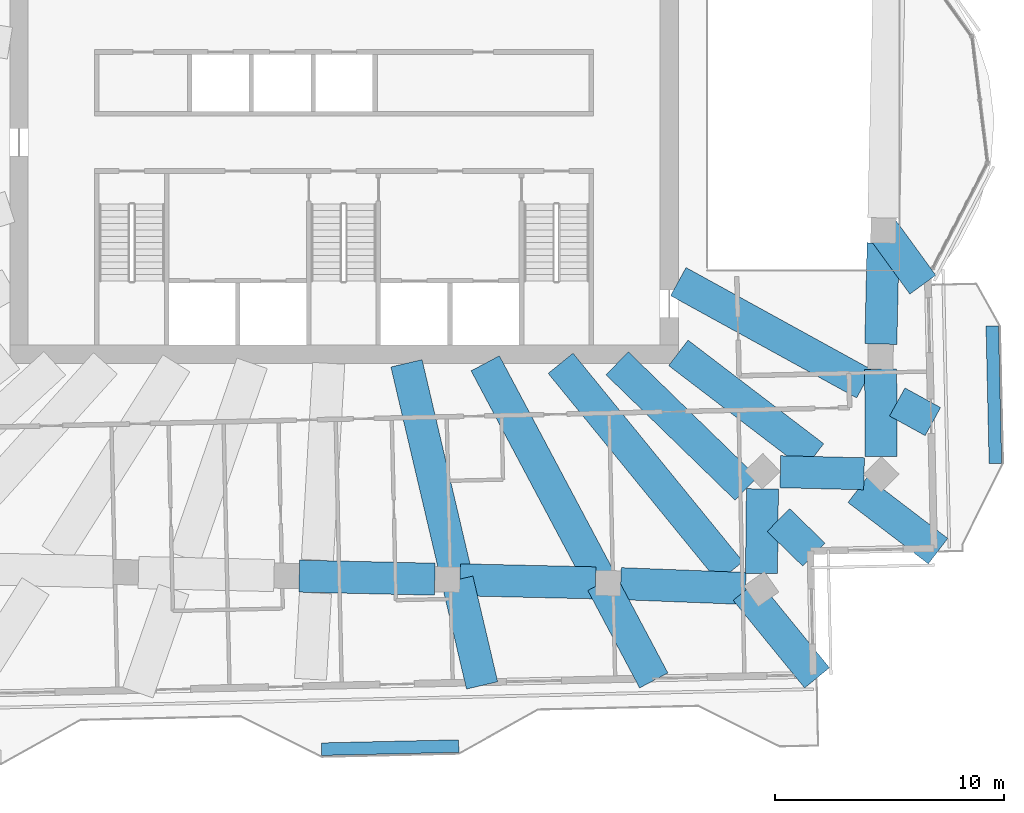
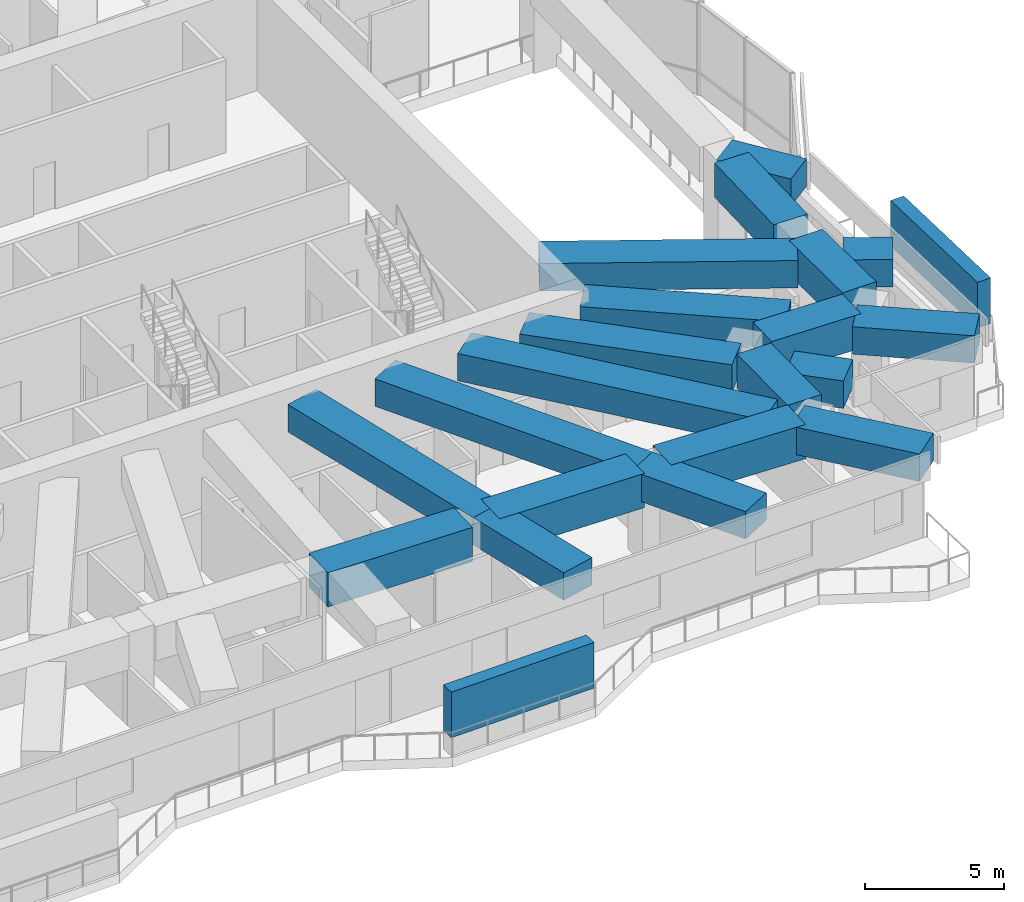
# One storey, part 3 of 19: 20 beams, 2 members.
"""IFC4 building model written with IfcOpenShell, lengths in metres."""

import ifcopenshell
import ifcopenshell.guid

model = None  # the IFC model being written
_history = None  # IfcOwnerHistory: only IFC2X3 demands one
_inside = {}  # id of a spatial element -> (the spatial element, [elements in it])
_under = {}  # id of a project, library or spatial element -> (it, [spatial elements below it])
_declared = {}  # id of a project -> (the project, [libraries it declares])
_typed = {}  # id of a type object -> (the type object, [elements of that type])
_made_of = {}  # id of a material, layer set ... -> (it, [elements and type objects made of it])


def new_model(schema):
    """Start an empty IFC model of exactly this schema.

    Asked for "IFC4X3", IfcOpenShell would pick the latest addendum, in which some entities
    have other attributes; the version numbers below select the first issue.
    IFC2X3 requires an IfcOwnerHistory on every rooted entity: one is made here for all.
    """
    global model, _history
    if schema == "IFC4X3":
        model = ifcopenshell.file(schema_version=(4, 3, 0, 0))
    else:
        model = ifcopenshell.file(schema=schema)
    _inside.clear()
    _under.clear()
    _declared.clear()
    _typed.clear()
    _made_of.clear()
    _history = None
    if model.schema == "IFC2X3":
        org = make("IfcOrganization", Name="unknown")
        user = make(
            "IfcPersonAndOrganization",
            ThePerson=make("IfcPerson", FamilyName="unknown"),
            TheOrganization=org,
        )
        app = make(
            "IfcApplication",
            ApplicationDeveloper=org,
            Version="unknown",
            ApplicationFullName="unknown",
            ApplicationIdentifier="unknown",
        )
        _history = make(
            "IfcOwnerHistory",
            OwningUser=user,
            OwningApplication=app,
            ChangeAction="ADDED",
            CreationDate=0,
        )
    return model


def make(cls, **values):
    """One entity of the class cls with the attributes given. An attribute that is None is left unset."""
    return model.create_entity(
        cls, **{name: value for name, value in values.items() if value is not None}
    )


def rooted(cls, **values):
    """An entity with a GlobalId (a new one), such as an element, a storey or a relation."""
    return make(cls, GlobalId=ifcopenshell.guid.new(), OwnerHistory=_history, **values)


def si_unit(unit_type, name, prefix=None):
    """IfcSIUnit, for example si_unit("LENGTHUNIT", "METRE", prefix="MILLI")."""
    return make("IfcSIUnit", UnitType=unit_type, Prefix=prefix, Name=name)


def assignment(units):
    """IfcUnitAssignment: the units of a project."""
    return None if units is None else make("IfcUnitAssignment", Units=units)


def point(xyz):
    """IfcCartesianPoint."""
    return None if xyz is None else make("IfcCartesianPoint", Coordinates=xyz)


def direction(xyz):
    """IfcDirection."""
    return None if xyz is None else make("IfcDirection", DirectionRatios=xyz)


def frame(location, z_axis=None, x_axis=None):
    """IfcAxis2Placement3D, a coordinate frame: its origin and axes. An axis left out is left unset."""
    return make(
        "IfcAxis2Placement3D",
        Location=point(location),
        Axis=direction(z_axis),
        RefDirection=direction(x_axis),
    )


def frame_2d(location, x_axis=None):
    """IfcAxis2Placement2D, a coordinate frame in the plane: its origin and x axis."""
    return make(
        "IfcAxis2Placement2D", Location=point(location), RefDirection=direction(x_axis)
    )


def origin():
    """The frame at (0, 0, 0) with its axes left unset."""
    return frame((0.0, 0.0, 0.0))


def origin_2d():
    """The frame at (0, 0) in the plane with its x axis left unset."""
    return frame_2d((0.0, 0.0))


def place(relative_to, where):
    """IfcLocalPlacement: puts the frame where relative to a parent placement (None: the world)."""
    return make(
        "IfcLocalPlacement", PlacementRelTo=relative_to, RelativePlacement=where
    )


def context(
    kind, dimensions, precision=None, world=None, true_north=None, identifier=None
):
    """IfcGeometricRepresentationContext, for example the 3D "Model" context."""
    return make(
        "IfcGeometricRepresentationContext",
        ContextIdentifier=identifier,
        ContextType=kind,
        CoordinateSpaceDimension=dimensions,
        Precision=precision,
        WorldCoordinateSystem=world,
        TrueNorth=true_north,
    )


def subcontext(parent, identifier, kind, view, scale=None):
    """IfcGeometricRepresentationSubContext, for example "Body" below "Model"."""
    return make(
        "IfcGeometricRepresentationSubContext",
        ContextIdentifier=identifier,
        ContextType=kind,
        ParentContext=parent,
        TargetScale=scale,
        TargetView=view,
    )


def project(units=None, contexts=None):
    """IfcProject with its units and contexts."""
    return rooted(
        "IfcProject",
        Name="project",
        RepresentationContexts=contexts,
        UnitsInContext=assignment(units),
    )


def spatial(cls, under=None, at=None, **own):
    """A site, building, storey or space (cls), placed at a placement, below another one or the project."""
    s = rooted(cls, ObjectPlacement=at, **own)
    if under is not None:
        _under.setdefault(under.id(), (under, []))[1].append(s)
    return s


def profile(cls, at=None, kind="AREA", **sizes):
    """A parametric profile (cls). Its sizes go by their IFC names, for example OverallWidth=200.0."""
    return make(cls, ProfileType=kind, Position=at, **sizes)


def rectangle(**sizes):
    """IfcRectangleProfileDef."""
    return profile("IfcRectangleProfileDef", **sizes)


def extrude(swept, where, along, depth):
    """IfcExtrudedAreaSolid: the profile swept, set in the frame where, extruded along a direction by depth."""
    return make(
        "IfcExtrudedAreaSolid",
        SweptArea=swept,
        Position=where,
        ExtrudedDirection=direction(along),
        Depth=depth,
    )


def shape(context_of_items, identifier, shape_type, items):
    """IfcShapeRepresentation: the items that make up one representation, for example the "Body"."""
    return make(
        "IfcShapeRepresentation",
        ContextOfItems=context_of_items,
        RepresentationIdentifier=identifier,
        RepresentationType=shape_type,
        Items=items,
    )


def material(Name=None, Category=None):
    """IfcMaterial."""
    return make("IfcMaterial", Name=Name, Category=Category)


def material_profile(
    of_material, cross_section, Name=None, Category=None, Priority=None
):
    """IfcMaterialProfile: a cross section and its material."""
    return make(
        "IfcMaterialProfile",
        Name=Name,
        Material=of_material,
        Profile=cross_section,
        Priority=Priority,
        Category=Category,
    )


def profile_set(profiles, Name=None, composite=None):
    """IfcMaterialProfileSet."""
    return make(
        "IfcMaterialProfileSet",
        Name=Name,
        MaterialProfiles=profiles,
        CompositeProfile=composite,
    )


def made_of(thing, what):
    """Note that an element or type object is made of a material, layer set ...; save() writes the relation."""
    if what is not None:
        _made_of.setdefault(what.id(), (what, []))[1].append(thing)
    return thing


def type_object(cls, material=None, **own):
    """A type object (cls), such as IfcWallType, which elements share."""
    return made_of(rooted(cls, **own), material)


def element(
    cls,
    number,
    at=None,
    inside=None,
    cuts=None,
    type_object=None,
    material=None,
    context=None,
    identifier="Body",
    shape_type=None,
    held_by="IfcProductDefinitionShape",
    body=None,
    shapes=None,
    **own,
):
    """One element of the class cls, such as IfcWall. Its Tag is "e" and its number.

    at: its placement. inside: the storey or other place that contains it. cuts: it is an
    opening in that element (IfcRelVoidsElement). A single representation is given by context,
    identifier, shape_type and body (its items); several are given by shapes. held_by: the class
    of the entity that holds the representations. save() writes the other relations.
    """
    e = rooted(cls, Tag="e%d" % number, ObjectPlacement=at, **own)
    if body is not None:
        shapes = [shape(context, identifier, shape_type, body)]
    if shapes is not None:
        e.Representation = make(held_by, Representations=shapes)
    if inside is not None:
        _inside.setdefault(inside.id(), (inside, []))[1].append(e)
    if cuts is not None:
        rooted(
            "IfcRelVoidsElement", RelatingBuildingElement=cuts, RelatedOpeningElement=e
        )
    if type_object is not None:
        _typed.setdefault(type_object.id(), (type_object, []))[1].append(e)
    return made_of(e, material)


def aggregate(whole, parts):
    """IfcRelAggregates: a whole, such as a stair, and the parts it consists of."""
    return rooted("IfcRelAggregates", RelatingObject=whole, RelatedObjects=parts)


def save(model, path):
    """Write the relations noted so far, then the file.

    IfcRelAggregates (storeys below a building ...), IfcRelContainedInSpatialStructure (elements
    in a storey), IfcRelDefinesByType, IfcRelAssociatesMaterial and IfcRelDeclares: one each for
    every whole, place, type object, material and project.
    """
    for whole, parts in _under.values():
        aggregate(whole, parts)
    for where, things in _inside.values():
        rooted(
            "IfcRelContainedInSpatialStructure",
            RelatedElements=things,
            RelatingStructure=where,
        )
    for kind, things in _typed.values():
        rooted("IfcRelDefinesByType", RelatedObjects=things, RelatingType=kind)
    for what, things in _made_of.values():
        rooted("IfcRelAssociatesMaterial", RelatedObjects=things, RelatingMaterial=what)
    for by, libraries in _declared.values():
        rooted("IfcRelDeclares", RelatingContext=by, RelatedDefinitions=libraries)
    model.write(path)


model = new_model("IFC4")

# Units and contexts
model_context = context("Model", 3, precision=1e-05, world=origin(), true_north=direction((0.0, 1.0)))
body_context = subcontext(model_context, "Body", "Model", "MODEL_VIEW")
ifc_project = project(units=[si_unit("LENGTHUNIT", "METRE"), si_unit("AREAUNIT", "SQUARE_METRE"), si_unit("VOLUMEUNIT", "CUBIC_METRE"), si_unit("PLANEANGLEUNIT", "RADIAN"), si_unit("MASSUNIT", "GRAM", prefix="KILO")], contexts=[model_context])

# Site, building, storey
site_placement = place(None, origin())
site = spatial("IfcSite", under=ifc_project, at=site_placement, CompositionType="ELEMENT")
building_placement = place(site_placement, origin())
building = spatial("IfcBuilding", under=site, at=building_placement, Name="Mangrove Gate Tower", CompositionType="ELEMENT")
storey_placement = place(building_placement, frame((0.0, 0.0, 226.5)))
storey = spatial("IfcBuildingStorey", under=building, at=storey_placement, Name="L57", CompositionType="ELEMENT", Elevation=226.5)

# Members
ifc_material_1 = material(Name="Planting on aluminium trellis", Category="aluminium")
ifc_material_profile_1 = material_profile(ifc_material_1, rectangle(XDim=0.550048828125, YDim=2.0, at=origin_2d()))
ifc_profile_set_1 = profile_set([ifc_material_profile_1], Name="Planting on aluminium trellis")
member_type = type_object("IfcMemberType", Name="Balcony greenery screen 550x2000", PredefinedType="USERDEFINED", material=ifc_profile_set_1)
member_1_placement = place(storey_placement, frame((28.451904296875, -15.971923828125, 1.800048828125), z_axis=(-0.022662255828, 0.999743178102, 0.0), x_axis=(-0.999743178102, -0.022662255828, 0.0)))
element("IfcMember", 1, at=member_1_placement, inside=storey, type_object=member_type, Name="GREEN SCREEN L57 E0.1", ObjectType="PLANTING", PredefinedType="USERDEFINED", context=body_context, shape_type="SweptSolid", body=[
    extrude(rectangle(XDim=0.550048828125, YDim=2.0, at=origin_2d()), origin(), (0.0, 0.0, 1.0), 6.00048828125),
])
member_2_placement = place(storey_placement, frame((-0.990966796875, -28.4580078125, 1.800048828125), z_axis=(0.999743094499, 0.022665943652, 0.0), x_axis=(-0.022665943652, 0.999743094499, 0.0)))
element("IfcMember", 2, at=member_2_placement, inside=storey, type_object=member_type, Name="GREEN SCREEN L57 S1.1", ObjectType="PLANTING", PredefinedType="USERDEFINED", context=body_context, shape_type="SweptSolid", body=[
    extrude(rectangle(XDim=0.550048828125, YDim=2.0, at=origin_2d()), origin(), (0.0, 0.0, 1.0), 5.99951171875),
])

# Beams
ifc_material_2 = material(Name="Concrete C60/75", Category="concrete")
ifc_material_profile_2 = material_profile(ifc_material_2, rectangle(XDim=1.39990234375, YDim=1.199951171875, at=origin_2d()))
ifc_profile_set_2 = profile_set([ifc_material_profile_2], Name="Concrete C60/75")
beam_type_1 = type_object("IfcBeamType", Name="Transfer girder RC 1400x1200 C60/75", PredefinedType="BEAM", material=ifc_profile_set_2)
beam_1_placement = place(storey_placement, frame((2.723876953125, -11.60009765625, 3.449951171875), z_axis=(0.228603512825, -0.973519611474, 0.0), x_axis=(0.973519611474, 0.228603512825, 0.0)))
element("IfcBeam", 3, at=beam_1_placement, inside=storey, type_object=beam_type_1, Name="Transfer girder L57 08", PredefinedType="BEAM", context=body_context, shape_type="SweptSolid", body=[
    extrude(rectangle(XDim=1.39990234375, YDim=1.199951171875, at=origin_2d()), origin(), (0.0, 0.0, 1.0), 9.7109375),
])
beam_2_placement = place(storey_placement, frame((4.94384765625, -21.053955078125, 3.449951171875), z_axis=(0.228631937359, -0.973512936339, 0.0), x_axis=(0.973512936339, 0.228631937359, 0.0)))
element("IfcBeam", 4, at=beam_2_placement, inside=storey, type_object=beam_type_1, Name="Transfer cantilever girder L57 08", PredefinedType="BEAM", context=body_context, shape_type="SweptSolid", body=[
    extrude(rectangle(XDim=1.39990234375, YDim=1.199951171875, at=origin_2d()), origin(), (0.0, 0.0, 1.0), 4.743408203125),
])
beam_3_placement = place(storey_placement, frame((6.164306640625, -11.60009765625, 3.449951171875), z_axis=(0.469259784395, -0.883060164852, 0.0), x_axis=(0.883060164852, 0.469259784395, 0.0)))
element("IfcBeam", 5, at=beam_3_placement, inside=storey, type_object=beam_type_1, Name="Transfer girder L57 09", PredefinedType="BEAM", context=body_context, shape_type="SweptSolid", body=[
    extrude(rectangle(XDim=1.39990234375, YDim=1.199951171875, at=origin_2d()), origin(), (0.0, 0.0, 1.0), 10.868896484375),
])
beam_4_placement = place(storey_placement, frame((11.2646484375, -21.197998046875, 3.449951171875), z_axis=(0.469239158822, -0.883071125011, 0.0), x_axis=(0.883071125011, 0.469239158822, 0.0)))
element("IfcBeam", 6, at=beam_4_placement, inside=storey, type_object=beam_type_1, Name="Transfer cantilever girder L57 09", PredefinedType="BEAM", context=body_context, shape_type="SweptSolid", body=[
    extrude(rectangle(XDim=1.39990234375, YDim=1.199951171875, at=origin_2d()), origin(), (0.0, 0.0, 1.0), 4.820556640625),
])
beam_5_placement = place(storey_placement, frame((9.45703125, -11.60009765625, 3.449951171875), z_axis=(0.631873214531, -0.775071764909, 0.0), x_axis=(0.775071764909, 0.631873214531, 0.0)))
element("IfcBeam", 7, at=beam_5_placement, inside=storey, type_object=beam_type_1, Name="Transfer girder L57 10", PredefinedType="BEAM", context=body_context, shape_type="SweptSolid", body=[
    extrude(rectangle(XDim=1.39990234375, YDim=1.199951171875, at=origin_2d()), origin(), (0.0, 0.0, 1.0), 11.74853515625),
])
beam_6_placement = place(storey_placement, frame((17.53759765625, -21.511962890625, 3.449951171875), z_axis=(0.631894018273, -0.775054804301, 0.0), x_axis=(0.775054804301, 0.631894018273, 0.0)))
element("IfcBeam", 8, at=beam_6_placement, inside=storey, type_object=beam_type_1, Name="Transfer cantilever girder L57 10", PredefinedType="BEAM", context=body_context, shape_type="SweptSolid", body=[
    extrude(rectangle(XDim=1.39990234375, YDim=1.199951171875, at=origin_2d()), origin(), (0.0, 0.0, 1.0), 4.9404296875),
])
beam_7_placement = place(storey_placement, frame((11.928466796875, -11.60009765625, 3.449951171875), z_axis=(0.71693151819, -0.697143599429, 0.0), x_axis=(0.697143599429, 0.71693151819, 0.0)))
element("IfcBeam", 9, at=beam_7_placement, inside=storey, type_object=beam_type_1, Name="Transfer girder L57 11", PredefinedType="BEAM", context=body_context, shape_type="SweptSolid", body=[
    extrude(rectangle(XDim=1.39990234375, YDim=1.199951171875, at=origin_2d()), origin(), (0.0, 0.0, 1.0), 7.859130859375),
])
beam_8_placement = place(storey_placement, frame((18.968017578125, -18.445556640625, 3.449951171875), z_axis=(0.716951123602, -0.697123436965, 0.0), x_axis=(0.697123436965, 0.716951123602, 0.0)))
element("IfcBeam", 10, at=beam_8_placement, inside=storey, type_object=beam_type_1, Name="Transfer cantilever girder L57 11", PredefinedType="BEAM", context=body_context, shape_type="SweptSolid", body=[
    extrude(rectangle(XDim=1.39990234375, YDim=1.199951171875, at=origin_2d()), origin(), (0.0, 0.0, 1.0), 2.1669921875),
])
beam_9_placement = place(storey_placement, frame((14.60009765625, -11.14404296875, 3.449951171875), z_axis=(0.794894725064, -0.606747374173, 0.0), x_axis=(0.606747374173, 0.794894725064, 0.0)))
element("IfcBeam", 11, at=beam_9_placement, inside=storey, type_object=beam_type_1, Name="Transfer girder L57 12", PredefinedType="BEAM", context=body_context, shape_type="SweptSolid", body=[
    extrude(rectangle(XDim=1.39990234375, YDim=1.199951171875, at=origin_2d()), origin(), (0.0, 0.0, 1.0), 7.4560546875),
])
beam_10_placement = place(storey_placement, frame((22.4345703125, -17.124267578125, 3.449951171875), z_axis=(0.794903537231, -0.606735829252, 0.0), x_axis=(0.606735829252, 0.794903537231, 0.0)))
element("IfcBeam", 12, at=beam_10_placement, inside=storey, type_object=beam_type_1, Name="Transfer cantilever girder L57 12", PredefinedType="BEAM", context=body_context, shape_type="SweptSolid", body=[
    extrude(rectangle(XDim=1.39990234375, YDim=1.199951171875, at=origin_2d()), origin(), (0.0, 0.0, 1.0), 4.41650390625),
])
beam_11_placement = place(storey_placement, frame((14.60009765625, -8.0302734375, 3.449951171875), z_axis=(0.876207015571, -0.481934918702, 0.0), x_axis=(0.481934918702, 0.876207015571, 0.0)))
element("IfcBeam", 13, at=beam_11_placement, inside=storey, type_object=beam_type_1, Name="Transfer girder L57 13", PredefinedType="BEAM", context=body_context, shape_type="SweptSolid", body=[
    extrude(rectangle(XDim=1.39990234375, YDim=1.199951171875, at=origin_2d()), origin(), (0.0, 0.0, 1.0), 9.27392578125),
])
beam_12_placement = place(storey_placement, frame((24.162841796875, -13.2900390625, 3.449951171875), z_axis=(0.876210107535, -0.481929297152, 0.0), x_axis=(0.481929297152, 0.876210107535, 0.0)))
element("IfcBeam", 14, at=beam_12_placement, inside=storey, type_object=beam_type_1, Name="Transfer cantilever girder L57 13", PredefinedType="BEAM", context=body_context, shape_type="SweptSolid", body=[
    extrude(rectangle(XDim=1.39990234375, YDim=1.199951171875, at=origin_2d()), origin(), (0.0, 0.0, 1.0), 1.777099609375),
])
beam_13_placement = place(storey_placement, frame((23.55908203125, -5.798583984375, 3.449951171875), z_axis=(0.588196512104, -0.808718036864, 0.0), x_axis=(0.808718036864, 0.588196512104, 0.0)))
element("IfcBeam", 15, at=beam_13_placement, inside=storey, type_object=beam_type_1, Name="Transfer edge girder L57 14", PredefinedType="BEAM", context=body_context, shape_type="SweptSolid", body=[
    extrude(rectangle(XDim=1.39990234375, YDim=1.199951171875, at=origin_2d()), origin(), (0.0, 0.0, 1.0), 2.925048828125),
])
ifc_material_3 = material(Name="Concrete C60/75", Category="concrete")
ifc_material_profile_3 = material_profile(ifc_material_3, rectangle(XDim=1.39990234375, YDim=1.5, at=origin_2d()))
ifc_profile_set_3 = profile_set([ifc_material_profile_3], Name="Concrete C60/75")
beam_type_2 = type_object("IfcBeamType", Name="Transfer girder RC 1400x1500 C60/75", PredefinedType="BEAM", material=ifc_profile_set_3)
for number, where, z_axis, x_axis, name in (
    (16, (-1.961669921875, -20.897705078125, 3.300048828125), (0.999744001208, -0.022625915437, 0.0), (0.022625915437, 0.999744001208, 0.0), "Transfer ring girder L57 07"),
    (17, (5.060302734375, -21.056640625, 3.300048828125), (0.999740258675, -0.022790681963, 0.0), (0.022790681963, 0.999740258675, 0.0), "Transfer ring girder L57 08"),
):
    element("IfcBeam", number, at=place(storey_placement, frame(where, z_axis=z_axis, x_axis=x_axis)), inside=storey, type_object=beam_type_2, Name=name, PredefinedType="BEAM", context=body_context, shape_type="SweptSolid", body=[
        extrude(rectangle(XDim=1.39990234375, YDim=1.5, at=origin_2d()), origin(), (0.0, 0.0, 1.0), 5.923828125),
    ])
beam_14_placement = place(storey_placement, frame((12.08203125, -21.225341796875, 3.300048828125), z_axis=(0.999248829051, -0.038752775905, 0.0), x_axis=(0.038752775905, 0.999248829051, 0.0)))
element("IfcBeam", 18, at=beam_14_placement, inside=storey, type_object=beam_type_2, Name="Transfer ring girder L57 09", PredefinedType="BEAM", context=body_context, shape_type="SweptSolid", body=[
    extrude(rectangle(XDim=1.39990234375, YDim=1.5, at=origin_2d()), origin(), (0.0, 0.0, 1.0), 5.455810546875),
])
beam_15_placement = place(storey_placement, frame((18.233154296875, -20.785400390625, 3.300048828125), z_axis=(0.010688225551, 0.999942879286, 0.0), x_axis=(-0.999942879286, 0.010688225551, 0.0)))
element("IfcBeam", 19, at=beam_15_placement, inside=storey, type_object=beam_type_2, Name="Transfer ring girder L57 10", PredefinedType="BEAM", context=body_context, shape_type="SweptSolid", body=[
    extrude(rectangle(XDim=1.39990234375, YDim=1.5, at=origin_2d()), origin(), (0.0, 0.0, 1.0), 3.700439453125),
])
beam_16_placement = place(storey_placement, frame((19.056640625, -16.335693359375, 3.300048828125), z_axis=(0.999690059684, -0.024895472844, 0.0), x_axis=(0.024895472844, 0.999690059684, 0.0)))
element("IfcBeam", 20, at=beam_16_placement, inside=storey, type_object=beam_type_2, Name="Transfer ring girder L57 11", PredefinedType="BEAM", context=body_context, shape_type="SweptSolid", body=[
    extrude(rectangle(XDim=1.39990234375, YDim=1.5, at=origin_2d()), origin(), (0.0, 0.0, 1.0), 3.657958984375),
])
beam_17_placement = place(storey_placement, frame((23.46240234375, -15.66796875, 3.300048828125), z_axis=(-0.006472978533, 0.999979050055, 0.0), x_axis=(-0.999979050055, -0.006472978533, 0.0)))
element("IfcBeam", 21, at=beam_17_placement, inside=storey, type_object=beam_type_2, Name="Transfer ring girder L57 12", PredefinedType="BEAM", context=body_context, shape_type="SweptSolid", body=[
    extrude(rectangle(XDim=1.39990234375, YDim=1.5, at=origin_2d()), origin(), (0.0, 0.0, 1.0), 3.809326171875),
])
beam_18_placement = place(storey_placement, frame((23.446533203125, -10.7587890625, 3.300048828125), z_axis=(0.022689977593, 0.999742549318, 0.0), x_axis=(-0.999742549318, 0.022689977593, 0.0)))
element("IfcBeam", 22, at=beam_18_placement, inside=storey, type_object=beam_type_2, Name="Transfer ring girder L57 13", PredefinedType="BEAM", context=body_context, shape_type="SweptSolid", body=[
    extrude(rectangle(XDim=1.39990234375, YDim=1.5, at=origin_2d()), origin(), (0.0, 0.0, 1.0), 4.41162109375),
])

save(model, "model.ifc")
